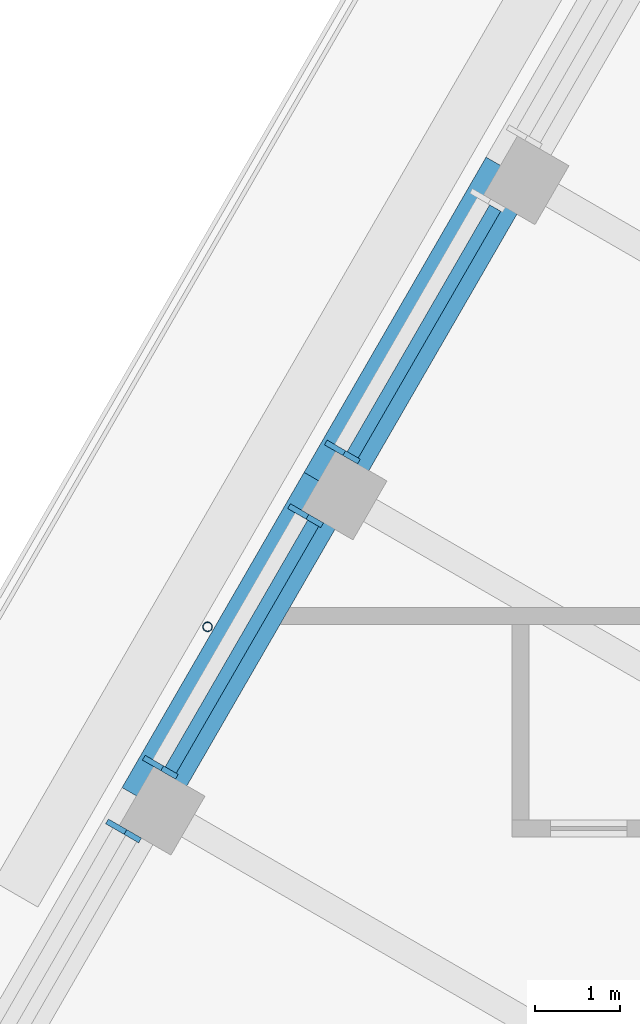
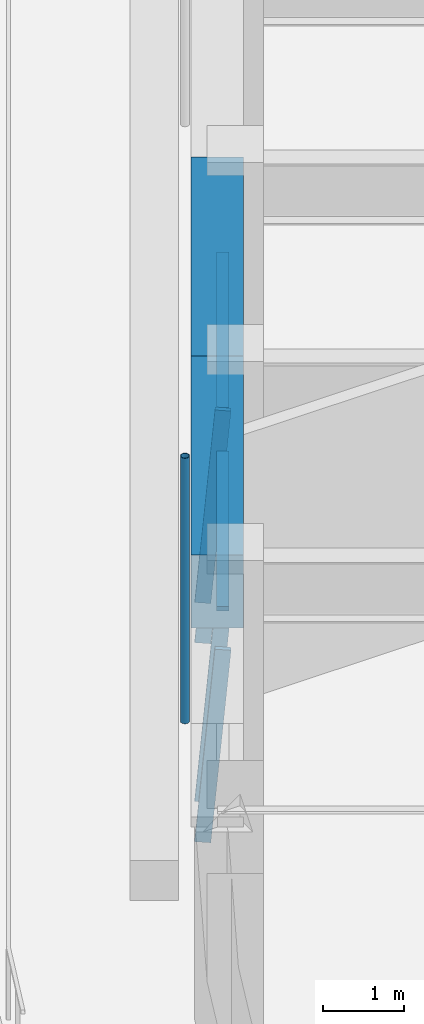
# One storey, part 6 of 20: 7 members, 2 beams, 3 elements without a shape of their own.
"""IFC4 building model written with IfcOpenShell, lengths in metres."""

from ifc_helpers import new_model, si_unit, direction, frame, origin, origin_2d, place, context, subcontext, project, spatial, rectangle, hollow_circle, extrude, material, material_profile, profile_set, type_object, element, aggregate, save


model = new_model("IFC4")

# Units and contexts
model_context = context("Model", 3, precision=1e-05, world=origin(), true_north=direction((0.0, 1.0)))
body_context = subcontext(model_context, "Body", "Model", "MODEL_VIEW")
ifc_project = project(units=[si_unit("LENGTHUNIT", "METRE"), si_unit("AREAUNIT", "SQUARE_METRE"), si_unit("VOLUMEUNIT", "CUBIC_METRE"), si_unit("PLANEANGLEUNIT", "RADIAN"), si_unit("MASSUNIT", "GRAM", prefix="KILO")], contexts=[model_context])

# Site, building, storey
site_placement = place(None, origin())
site = spatial("IfcSite", under=ifc_project, at=site_placement, CompositionType="ELEMENT")
building_placement = place(site_placement, origin())
building = spatial("IfcBuilding", under=site, at=building_placement, Name="Tarfa Lantern Tower", CompositionType="ELEMENT")
storey_placement = place(building_placement, frame((0.0, 0.0, 378.699951171875)))
storey = spatial("IfcBuildingStorey", under=building, at=storey_placement, Name="L86", CompositionType="ELEMENT", Elevation=378.699951171875)

# Curtain wall, member
ifc_material_1 = material(Name="Aluminium framed curtain wall", Category="aluminium")
curtain_wall_type = type_object("IfcCurtainWallType", Name="CW4 CANTED GLAZING EXECUTIVE ZONE 2900", PredefinedType="USERDEFINED", material=ifc_material_1)
curtain_wall_1_placement = place(storey_placement, origin())
curtain_wall_1 = element("IfcCurtainWall", 1, at=curtain_wall_1_placement, inside=storey, type_object=curtain_wall_type, Name="CW4 NW L86", ObjectType="CURTAIN WALL", PredefinedType="USERDEFINED")
ifc_material_2 = material(Name="Aluminium mullion", Category="aluminium")
ifc_material_profile_1 = material_profile(ifc_material_2, rectangle(XDim=0.06494140625, YDim=0.199951171875, at=origin_2d()), Name="AL MULLION 65x200")
ifc_profile_set_1 = profile_set([ifc_material_profile_1], Name="Aluminium mullion")
member_type_1 = type_object("IfcMemberType", Name="CWM1 MULLION 65x200", PredefinedType="MULLION", material=ifc_profile_set_1)
member_1_placement = place(storey_placement, frame((-25.00439453125, 9.9912109375, 0.0), z_axis=(0.074393603155, -0.042941967097, 0.996303959277), x_axis=(0.499919672301, 0.866071776036, 0.0)))
member_1 = element("IfcMember", 2, at=member_1_placement, type_object=member_type_1, Name="CW4 mullion 2", PredefinedType="MULLION", context=body_context, shape_type="SweptSolid", body=[
    extrude(rectangle(XDim=0.06494140625, YDim=0.199951171875, at=origin_2d()), origin(), (0.0, 0.0, 1.0), 2.910888671875),
])

# Curtain wall, members
curtain_wall_2_placement = place(storey_placement, origin())
curtain_wall_2 = element("IfcCurtainWall", 3, at=curtain_wall_2_placement, inside=storey, type_object=curtain_wall_type, Name="CW4 NW L86", ObjectType="CURTAIN WALL", PredefinedType="USERDEFINED")
member_2_placement = place(storey_placement, frame((-25.436767578125, 9.2421875, 0.0), z_axis=(0.074393603155, -0.042941967097, 0.996303959277), x_axis=(0.499919672301, 0.866071776036, 0.0)))
member_2 = element("IfcMember", 4, at=member_2_placement, type_object=member_type_1, Name="CW4 mullion 1", PredefinedType="MULLION", context=body_context, shape_type="SweptSolid", body=[
    extrude(rectangle(XDim=0.06494140625, YDim=0.199951171875, at=origin_2d()), origin(), (0.0, 0.0, 1.0), 2.910888671875),
])
member_3_placement = place(storey_placement, frame((-27.145263671875, 6.282958984375, 0.0), z_axis=(0.074310195522, -0.042942234884, 0.996310172238), x_axis=(0.500342721131, 0.865827443207, 0.0)))
member_3 = element("IfcMember", 5, at=member_3_placement, type_object=member_type_1, Name="CW4 mullion 2", PredefinedType="MULLION", context=body_context, shape_type="SweptSolid", body=[
    extrude(rectangle(XDim=0.06494140625, YDim=0.199951171875, at=origin_2d()), origin(), (0.0, 0.0, 1.0), 2.910888671875),
])

# Curtain wall, member
curtain_wall_3_placement = place(storey_placement, origin())
curtain_wall_3 = element("IfcCurtainWall", 6, at=curtain_wall_3_placement, inside=storey, type_object=curtain_wall_type, Name="CW4 NW L86", ObjectType="CURTAIN WALL", PredefinedType="USERDEFINED")
member_4_placement = place(storey_placement, frame((-27.577880859375, 5.53369140625, 0.0), z_axis=(0.074393603155, -0.042941967097, 0.996303959277), x_axis=(0.499919672301, 0.866071776036, 0.0)))
member_4 = element("IfcMember", 7, at=member_4_placement, type_object=member_type_1, Name="CW4 mullion 1", PredefinedType="MULLION", context=body_context, shape_type="SweptSolid", body=[
    extrude(rectangle(XDim=0.06494140625, YDim=0.199951171875, at=origin_2d()), origin(), (0.0, 0.0, 1.0), 2.910888671875),
])
aggregate(curtain_wall_3, [member_4])

# Member
ifc_material_3 = material(Name="Aluminium transom", Category="aluminium")
ifc_material_profile_2 = material_profile(ifc_material_3, rectangle(XDim=0.14990234375, YDim=0.06494140625, at=origin_2d()), Name="AL TRANSOM 150x65")
ifc_profile_set_2 = profile_set([ifc_material_profile_2], Name="Aluminium transom")
member_type_2 = type_object("IfcMemberType", Name="CWT1 TRANSOM 150x65", PredefinedType="USERDEFINED", material=ifc_profile_set_2)
member_5_placement = place(storey_placement, frame((-23.097900390625, 12.798583984375, 2.867431640625), z_axis=(-0.500016677412, -0.866015774862, 0.0), x_axis=(0.866015774862, -0.500016677412, 0.0)))
member_5 = element("IfcMember", 8, at=member_5_placement, type_object=member_type_2, Name="CW4 transom 1.2", ObjectType="TRANSOM", PredefinedType="USERDEFINED", context=body_context, shape_type="SweptSolid", body=[
    extrude(rectangle(XDim=0.14990234375, YDim=0.06494140625, at=origin_2d()), origin(), (0.0, 0.0, 1.0), 3.35205078125),
])

aggregate(curtain_wall_1, [member_1, member_5])

member_6_placement = place(storey_placement, frame((-25.239013671875, 9.09033203125, 2.867431640625), z_axis=(-0.500016677412, -0.866015774862, 0.0), x_axis=(0.866015774862, -0.500016677412, 0.0)))
member_6 = element("IfcMember", 9, at=member_6_placement, type_object=member_type_2, Name="CW4 transom 1.2", ObjectType="TRANSOM", PredefinedType="USERDEFINED", context=body_context, shape_type="SweptSolid", body=[
    extrude(rectangle(XDim=0.14990234375, YDim=0.06494140625, at=origin_2d()), origin(), (0.0, 0.0, 1.0), 3.35205078125),
])

aggregate(curtain_wall_2, [member_2, member_3, member_6])

# Beams
ifc_material_4 = material(Name="Concrete C80/95", Category="concrete")
ifc_material_profile_3 = material_profile(ifc_material_4, rectangle(XDim=0.64990234375, YDim=1.10009765625, at=origin_2d()), Name="RC 650x1100")
ifc_profile_set_3 = profile_set([ifc_material_profile_3], Name="Concrete C80/95")
beam_type = type_object("IfcBeamType", Name="EB4 RC 650x1100", PredefinedType="SPANDREL", material=ifc_profile_set_3)
beam_1_placement = place(storey_placement, frame((-22.923583984375, 13.235107421875, 3.449951171875), z_axis=(-0.500002112793, -0.866024183959, 0.0), x_axis=(0.866024183959, -0.500002112793, 0.0)))
element("IfcBeam", 10, at=beam_1_placement, inside=storey, type_object=beam_type, Name="Edge beam NW3", PredefinedType="SPANDREL", context=body_context, shape_type="SweptSolid", body=[
    extrude(rectangle(XDim=0.64990234375, YDim=1.10009765625, at=origin_2d()), origin(), (0.0, 0.0, 1.0), 4.2822265625),
])
beam_2_placement = place(storey_placement, frame((-25.064697265625, 9.526611328125, 3.449951171875), z_axis=(-0.500026801138, -0.866009929587, 0.0), x_axis=(0.866009929587, -0.500026801138, 0.0)))
element("IfcBeam", 11, at=beam_2_placement, inside=storey, type_object=beam_type, Name="Edge beam NW4", PredefinedType="SPANDREL", context=body_context, shape_type="SweptSolid", body=[
    extrude(rectangle(XDim=0.64990234375, YDim=1.10009765625, at=origin_2d()), origin(), (0.0, 0.0, 1.0), 4.281982421875),
])

# Member
ifc_material_5 = material(Name="Steel S355", Category="steel")
ifc_material_profile_4 = material_profile(ifc_material_5, hollow_circle(Radius=0.05712890625, WallThickness=0.00634765625, at=origin_2d()), Name="CHS114.3x6.3")
ifc_profile_set_4 = profile_set([ifc_material_profile_4], Name="Steel S355")
member_type_3 = type_object("IfcMemberType", Name="TR1 GREEN WALL TRELLIS CHS114.3x6.3", PredefinedType="USERDEFINED", material=ifc_profile_set_4)
member_7_placement = place(storey_placement, frame((-26.481689453125, 7.87255859375, 0.0), z_axis=(0.0, 0.0, 1.0), x_axis=(1.0, 0.0, 0.0)))
element("IfcMember", 12, at=member_7_placement, inside=storey, type_object=member_type_3, Name="Trellis post NW 2", ObjectType="TRELLIS", PredefinedType="USERDEFINED", context=body_context, shape_type="SweptSolid", body=[
    extrude(hollow_circle(Radius=0.05712890625, WallThickness=0.00634765625, at=origin_2d()), origin(), (0.0, 0.0, 1.0), 4.0),
])

save(model, "model.ifc")
